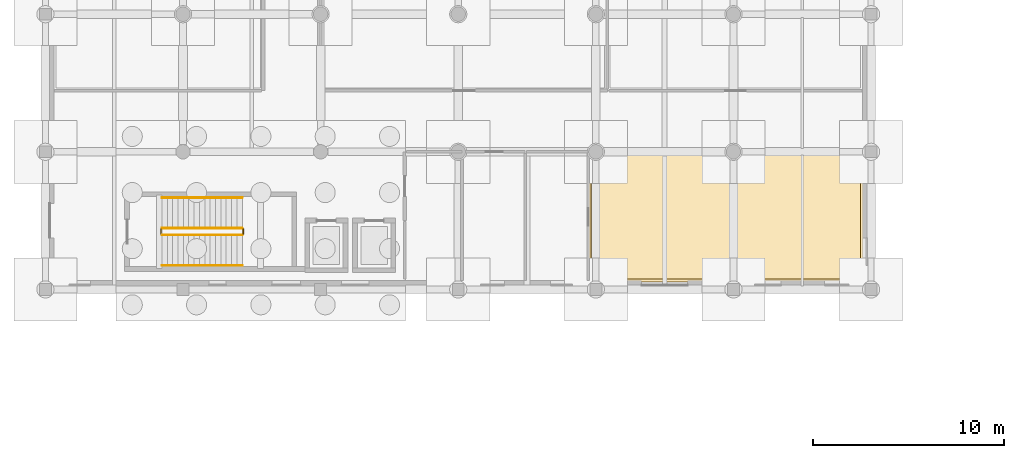
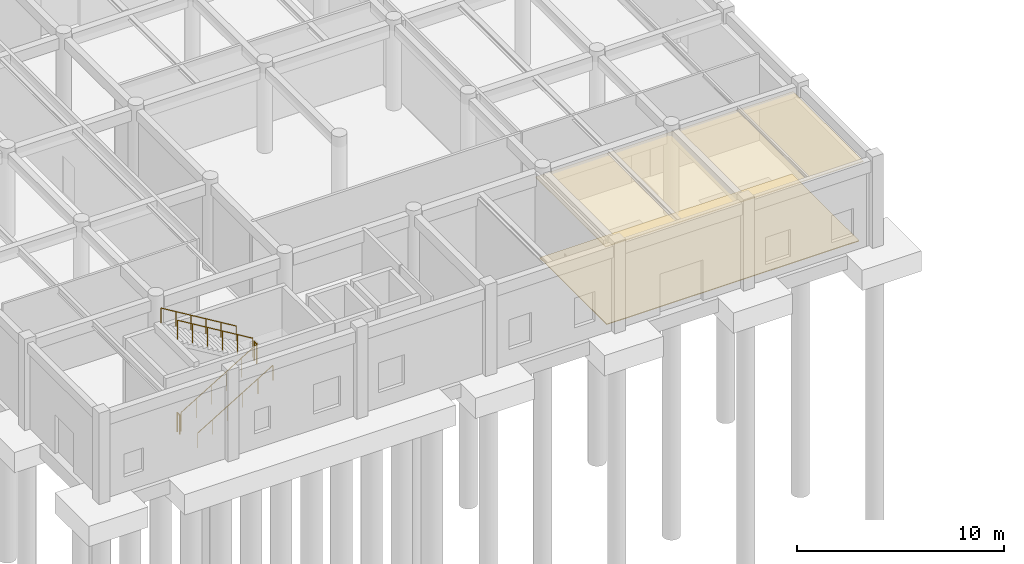
# One storey, part 85 of 91: 6 railings, 2 coverings.
"""IFC4 building model written with IfcOpenShell, lengths in metres."""

from ifc_helpers import new_model, si_unit, direction, frame, origin, origin_2d, place, context, subcontext, project, spatial, polyline, circle, outline, extrude, material, layer, layer_set, type_object, element, save


model = new_model("IFC4")

# Units and contexts
model_context = context("Model", 3, precision=1e-05, world=origin(), true_north=direction((0.0, 1.0)))
body_context = subcontext(model_context, "Body", "Model", "MODEL_VIEW")
ifc_project = project(units=[si_unit("LENGTHUNIT", "METRE"), si_unit("AREAUNIT", "SQUARE_METRE"), si_unit("VOLUMEUNIT", "CUBIC_METRE"), si_unit("PLANEANGLEUNIT", "RADIAN"), si_unit("MASSUNIT", "GRAM", prefix="KILO")], contexts=[model_context])

# Site, building, storey
site_placement = place(None, origin())
site = spatial("IfcSite", under=ifc_project, at=site_placement, CompositionType="ELEMENT")
building_placement = place(site_placement, origin())
building = spatial("IfcBuilding", under=site, at=building_placement, Name="Bramveld Media Centre", CompositionType="ELEMENT")
storey_placement = place(building_placement, origin())
storey = spatial("IfcBuildingStorey", under=building, at=storey_placement, Name="L00", CompositionType="ELEMENT", Elevation=0.0)

# Coverings
ifc_material_1 = material(Name="Perforated acoustic mineral-fibre & oak-slat suspended ceiling")
ifc_layer_1 = layer(ifc_material_1, 0.044921875)
ifc_layer_set_1 = layer_set([ifc_layer_1], Name="Perforated acoustic mineral-fibre & oak-slat suspended ceiling")
covering_type_1 = type_object("IfcCoveringType", Name="COV-CEIL-01", PredefinedType="CEILING", material=ifc_layer_set_1)
covering_1_placement = place(storey_placement, frame((0.0, 0.0, 4.72509765625)))
element("IfcCovering", 1, at=covering_1_placement, inside=storey, type_object=covering_type_1, Name="Exhibition Box Office Circulation Lobby acoustic suspended ceiling", PredefinedType="CEILING", context=body_context, shape_type="SweptSolid", body=[
    extrude(outline(polyline([(94.0, 90.800048828125), (108.39990234375, 90.800048828125), (108.39990234375, 97.60009765625), (94.0, 97.60009765625), (94.0, 90.800048828125)])), origin(), (0.0, 0.0, 1.0), 0.044921875),
])
ifc_material_2 = material(Name="Anti-static acoustic linoleum editing & vault flooring")
ifc_layer_2 = layer(ifc_material_2, 0.0400390625)
ifc_layer_set_2 = layer_set([ifc_layer_2], Name="Anti-static acoustic linoleum editing & vault flooring")
covering_type_2 = type_object("IfcCoveringType", Name="COV-FLOOR-03", PredefinedType="FLOORING", material=ifc_layer_set_2)
covering_2_placement = place(storey_placement, origin())
element("IfcCovering", 2, at=covering_2_placement, inside=storey, type_object=covering_type_2, Name="Exhibition Box Office Circulation Lobby finish flooring", PredefinedType="FLOORING", context=body_context, shape_type="SweptSolid", body=[
    extrude(outline(polyline([(94.14990234375, 90.949951171875), (108.25, 90.949951171875), (108.25, 97.449951171875), (94.14990234375, 97.449951171875), (94.14990234375, 90.949951171875)])), origin(), (0.0, 0.0, 1.0), 0.0400390625),
])

# Railings
ifc_material_3 = material(Name="Painted galvanized steel stairwell guardrail", Category="steel")
railing_type_1 = type_object("IfcRailingType", Name="RAIL-STAIR-GUARD-1150", PredefinedType="GUARDRAIL", material=ifc_material_3)
railing_1_placement = place(storey_placement, frame((71.699951171875, 93.25, 0.168701171875)))
element("IfcRailing", 3, at=railing_1_placement, inside=storey, type_object=railing_type_1, Name="L00 ST-07 stair guard 1", PredefinedType="GUARDRAIL", context=body_context, shape_type="SweptSolid", body=[
    extrude(circle(Radius=0.02392578125, at=origin_2d()), frame((0.0, 0.0, 1.1259765625), z_axis=(0.856476492594, 0.0, 0.516186030065), x_axis=(0.0, 1.0, 0.0)), (0.0, 0.0, 1.0), 4.90380859375),
    extrude(circle(Radius=0.02099609375, at=origin_2d()), origin(), (0.0, 0.0, 1.0), 1.101806640625),
    extrude(circle(Radius=0.02099609375, at=origin_2d()), frame((0.840087890625, 0.0, 0.50634765625)), (0.0, 0.0, 1.0), 1.101806640625),
    extrude(circle(Radius=0.02099609375, at=origin_2d()), frame((1.679931640625, 0.0, 1.012451171875)), (0.0, 0.0, 1.0), 1.101806640625),
    extrude(circle(Radius=0.02099609375, at=origin_2d()), frame((2.52001953125, 0.0, 1.518798828125)), (0.0, 0.0, 1.0), 1.101806640625),
    extrude(circle(Radius=0.02099609375, at=origin_2d()), frame((3.35986328125, 0.0, 2.02490234375)), (0.0, 0.0, 1.0), 1.101806640625),
    extrude(circle(Radius=0.02099609375, at=origin_2d()), frame((4.199951171875, 0.0, 2.53125)), (0.0, 0.0, 1.0), 1.101806640625),
])
railing_2_placement = place(storey_placement, frame((75.949951171875, 93.300048828125, 2.699951171875)))
element("IfcRailing", 4, at=railing_2_placement, inside=storey, type_object=railing_type_1, Name="L00 ST-07 stair guard 2", PredefinedType="GUARDRAIL", context=body_context, shape_type="SweptSolid", body=[
    extrude(circle(Radius=0.02392578125, at=origin_2d()), frame((0.0, 0.0, 1.1259765625), z_axis=(0.0, 1.0, 0.0), x_axis=(-1.0, 0.0, 0.0)), (0.0, 0.0, 1.0), 0.25),
    extrude(circle(Radius=0.02099609375, at=origin_2d()), origin(), (0.0, 0.0, 1.0), 1.101806640625),
    extrude(circle(Radius=0.02099609375, at=origin_2d()), frame((0.0, 0.25, 0.0)), (0.0, 0.0, 1.0), 1.101806640625),
])
railing_3_placement = place(storey_placement, frame((75.89990234375, 93.60009765625, 2.86865234375)))
element("IfcRailing", 5, at=railing_3_placement, inside=storey, type_object=railing_type_1, Name="L00 ST-07 stair guard 3", PredefinedType="GUARDRAIL", context=body_context, shape_type="SweptSolid", body=[
    extrude(circle(Radius=0.02392578125, at=origin_2d()), frame((0.0, 0.0, 1.1259765625), z_axis=(-0.856476492594, 0.0, 0.516186030065), x_axis=(0.0, -1.0, 0.0)), (0.0, 0.0, 1.0), 4.90380859375),
    extrude(circle(Radius=0.02099609375, at=origin_2d()), origin(), (0.0, 0.0, 1.0), 1.101806640625),
    extrude(circle(Radius=0.02099609375, at=origin_2d()), frame((-0.840087890625, 0.0, 0.50634765625)), (0.0, 0.0, 1.0), 1.101806640625),
    extrude(circle(Radius=0.02099609375, at=origin_2d()), frame((-1.679931640625, 0.0, 1.012451171875)), (0.0, 0.0, 1.0), 1.101806640625),
    extrude(circle(Radius=0.02099609375, at=origin_2d()), frame((-2.52001953125, 0.0, 1.518798828125)), (0.0, 0.0, 1.0), 1.101806640625),
    extrude(circle(Radius=0.02099609375, at=origin_2d()), frame((-3.35986328125, 0.0, 2.02490234375)), (0.0, 0.0, 1.0), 1.101806640625),
    extrude(circle(Radius=0.02099609375, at=origin_2d()), frame((-4.199951171875, 0.0, 2.53125)), (0.0, 0.0, 1.0), 1.101806640625),
])
railing_4_placement = place(storey_placement, frame((71.64990234375, 93.300048828125, 0.0)))
element("IfcRailing", 6, at=railing_4_placement, inside=storey, type_object=railing_type_1, Name="L00 ST-07 stair guard 4", PredefinedType="GUARDRAIL", context=body_context, shape_type="SweptSolid", body=[
    extrude(circle(Radius=0.02392578125, at=origin_2d()), frame((0.0, 0.0, 1.1259765625), z_axis=(0.0, 1.0, 0.0), x_axis=(-1.0, 0.0, 0.0)), (0.0, 0.0, 1.0), 0.25),
    extrude(circle(Radius=0.02099609375, at=origin_2d()), origin(), (0.0, 0.0, 1.0), 1.101806640625),
    extrude(circle(Radius=0.02099609375, at=origin_2d()), frame((0.0, 0.25, 0.0)), (0.0, 0.0, 1.0), 1.101806640625),
])
ifc_material_4 = material(Name="Brushed stainless steel tubular stair handrail", Category="steel")
railing_type_2 = type_object("IfcRailingType", Name="RAIL-STAIR-HAND-0920", PredefinedType="HANDRAIL", material=ifc_material_4)
railing_5_placement = place(storey_placement, frame((71.699951171875, 91.64990234375, 0.168701171875)))
element("IfcRailing", 7, at=railing_5_placement, inside=storey, type_object=railing_type_2, Name="L00 ST-07 stair handrail 1", PredefinedType="HANDRAIL", context=body_context, shape_type="SweptSolid", body=[
    extrude(circle(Radius=0.02392578125, at=origin_2d()), frame((0.0, 0.0, 0.8759765625), z_axis=(0.856476492594, 0.0, 0.516186030065), x_axis=(0.0, 1.0, 0.0)), (0.0, 0.0, 1.0), 4.90380859375),
    extrude(circle(Radius=0.02099609375, at=origin_2d()), origin(), (0.0, 0.0, 1.0), 0.851806640625),
    extrude(circle(Radius=0.02099609375, at=origin_2d()), frame((0.840087890625, 0.0, 0.50634765625)), (0.0, 0.0, 1.0), 0.851806640625),
    extrude(circle(Radius=0.02099609375, at=origin_2d()), frame((1.679931640625, 0.0, 1.012451171875)), (0.0, 0.0, 1.0), 0.851806640625),
    extrude(circle(Radius=0.02099609375, at=origin_2d()), frame((2.52001953125, 0.0, 1.518798828125)), (0.0, 0.0, 1.0), 0.851806640625),
    extrude(circle(Radius=0.02099609375, at=origin_2d()), frame((3.35986328125, 0.0, 2.02490234375)), (0.0, 0.0, 1.0), 0.851806640625),
    extrude(circle(Radius=0.02099609375, at=origin_2d()), frame((4.199951171875, 0.0, 2.53125)), (0.0, 0.0, 1.0), 0.851806640625),
])
railing_6_placement = place(storey_placement, frame((75.89990234375, 95.199951171875, 2.86865234375)))
element("IfcRailing", 8, at=railing_6_placement, inside=storey, type_object=railing_type_2, Name="L00 ST-07 stair handrail 2", PredefinedType="HANDRAIL", context=body_context, shape_type="SweptSolid", body=[
    extrude(circle(Radius=0.02392578125, at=origin_2d()), frame((0.0, 0.0, 0.8759765625), z_axis=(-0.856476492594, 0.0, 0.516186030065), x_axis=(0.0, -1.0, 0.0)), (0.0, 0.0, 1.0), 4.90380859375),
    extrude(circle(Radius=0.02099609375, at=origin_2d()), origin(), (0.0, 0.0, 1.0), 0.851806640625),
    extrude(circle(Radius=0.02099609375, at=origin_2d()), frame((-0.840087890625, 0.0, 0.50634765625)), (0.0, 0.0, 1.0), 0.851806640625),
    extrude(circle(Radius=0.02099609375, at=origin_2d()), frame((-1.679931640625, 0.0, 1.012451171875)), (0.0, 0.0, 1.0), 0.851806640625),
    extrude(circle(Radius=0.02099609375, at=origin_2d()), frame((-2.52001953125, 0.0, 1.518798828125)), (0.0, 0.0, 1.0), 0.851806640625),
    extrude(circle(Radius=0.02099609375, at=origin_2d()), frame((-3.35986328125, 0.0, 2.02490234375)), (0.0, 0.0, 1.0), 0.851806640625),
    extrude(circle(Radius=0.02099609375, at=origin_2d()), frame((-4.199951171875, 0.0, 2.53125)), (0.0, 0.0, 1.0), 0.851806640625),
])

save(model, "model.ifc")
